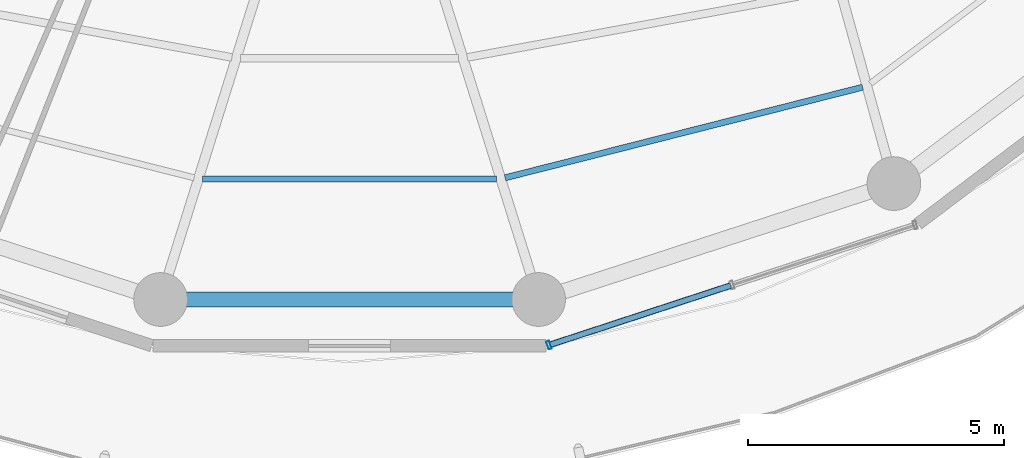
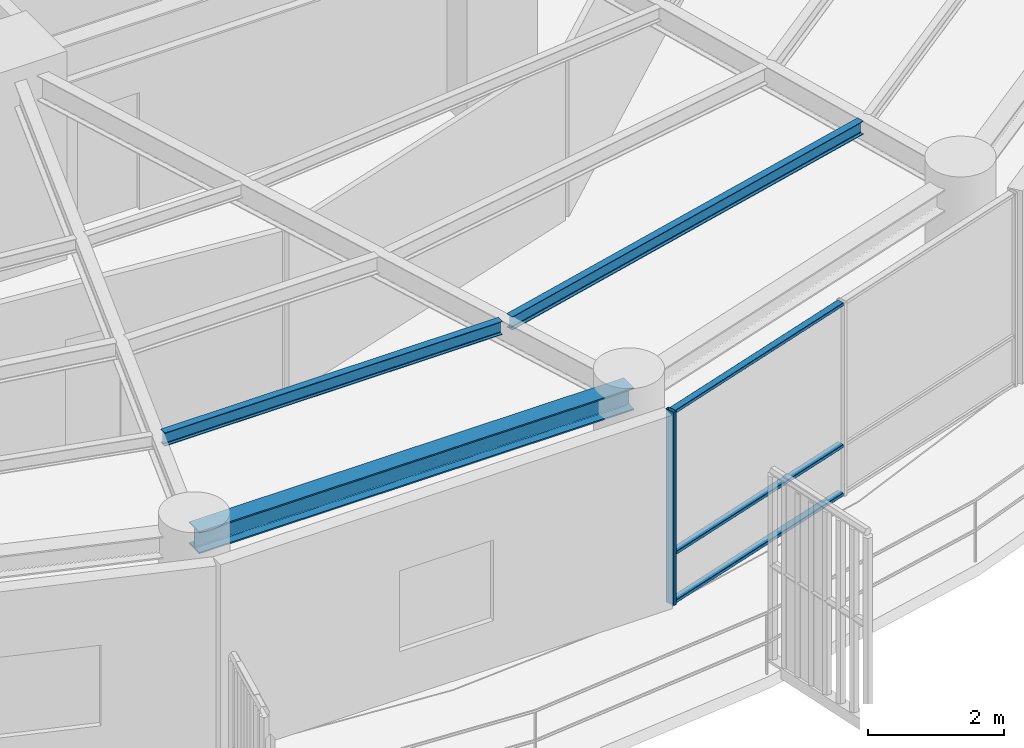
# One storey, part 4 of 31: 4 members, 3 beams, 1 element without a shape of its own.
"""IFC4 building model written with IfcOpenShell, lengths in metres."""

import ifcopenshell
import ifcopenshell.guid

model = None  # the IFC model being written
_history = None  # IfcOwnerHistory: only IFC2X3 demands one
_inside = {}  # id of a spatial element -> (the spatial element, [elements in it])
_under = {}  # id of a project, library or spatial element -> (it, [spatial elements below it])
_declared = {}  # id of a project -> (the project, [libraries it declares])
_typed = {}  # id of a type object -> (the type object, [elements of that type])
_made_of = {}  # id of a material, layer set ... -> (it, [elements and type objects made of it])


def new_model(schema):
    """Start an empty IFC model of exactly this schema.

    Asked for "IFC4X3", IfcOpenShell would pick the latest addendum, in which some entities
    have other attributes; the version numbers below select the first issue.
    IFC2X3 requires an IfcOwnerHistory on every rooted entity: one is made here for all.
    """
    global model, _history
    if schema == "IFC4X3":
        model = ifcopenshell.file(schema_version=(4, 3, 0, 0))
    else:
        model = ifcopenshell.file(schema=schema)
    _inside.clear()
    _under.clear()
    _declared.clear()
    _typed.clear()
    _made_of.clear()
    _history = None
    if model.schema == "IFC2X3":
        org = make("IfcOrganization", Name="unknown")
        user = make(
            "IfcPersonAndOrganization",
            ThePerson=make("IfcPerson", FamilyName="unknown"),
            TheOrganization=org,
        )
        app = make(
            "IfcApplication",
            ApplicationDeveloper=org,
            Version="unknown",
            ApplicationFullName="unknown",
            ApplicationIdentifier="unknown",
        )
        _history = make(
            "IfcOwnerHistory",
            OwningUser=user,
            OwningApplication=app,
            ChangeAction="ADDED",
            CreationDate=0,
        )
    return model


def make(cls, **values):
    """One entity of the class cls with the attributes given. An attribute that is None is left unset."""
    return model.create_entity(
        cls, **{name: value for name, value in values.items() if value is not None}
    )


def rooted(cls, **values):
    """An entity with a GlobalId (a new one), such as an element, a storey or a relation."""
    return make(cls, GlobalId=ifcopenshell.guid.new(), OwnerHistory=_history, **values)


def si_unit(unit_type, name, prefix=None):
    """IfcSIUnit, for example si_unit("LENGTHUNIT", "METRE", prefix="MILLI")."""
    return make("IfcSIUnit", UnitType=unit_type, Prefix=prefix, Name=name)


def assignment(units):
    """IfcUnitAssignment: the units of a project."""
    return None if units is None else make("IfcUnitAssignment", Units=units)


def point(xyz):
    """IfcCartesianPoint."""
    return None if xyz is None else make("IfcCartesianPoint", Coordinates=xyz)


def direction(xyz):
    """IfcDirection."""
    return None if xyz is None else make("IfcDirection", DirectionRatios=xyz)


def frame(location, z_axis=None, x_axis=None):
    """IfcAxis2Placement3D, a coordinate frame: its origin and axes. An axis left out is left unset."""
    return make(
        "IfcAxis2Placement3D",
        Location=point(location),
        Axis=direction(z_axis),
        RefDirection=direction(x_axis),
    )


def frame_2d(location, x_axis=None):
    """IfcAxis2Placement2D, a coordinate frame in the plane: its origin and x axis."""
    return make(
        "IfcAxis2Placement2D", Location=point(location), RefDirection=direction(x_axis)
    )


def origin():
    """The frame at (0, 0, 0) with its axes left unset."""
    return frame((0.0, 0.0, 0.0))


def origin_2d():
    """The frame at (0, 0) in the plane with its x axis left unset."""
    return frame_2d((0.0, 0.0))


def place(relative_to, where):
    """IfcLocalPlacement: puts the frame where relative to a parent placement (None: the world)."""
    return make(
        "IfcLocalPlacement", PlacementRelTo=relative_to, RelativePlacement=where
    )


def context(
    kind, dimensions, precision=None, world=None, true_north=None, identifier=None
):
    """IfcGeometricRepresentationContext, for example the 3D "Model" context."""
    return make(
        "IfcGeometricRepresentationContext",
        ContextIdentifier=identifier,
        ContextType=kind,
        CoordinateSpaceDimension=dimensions,
        Precision=precision,
        WorldCoordinateSystem=world,
        TrueNorth=true_north,
    )


def subcontext(parent, identifier, kind, view, scale=None):
    """IfcGeometricRepresentationSubContext, for example "Body" below "Model"."""
    return make(
        "IfcGeometricRepresentationSubContext",
        ContextIdentifier=identifier,
        ContextType=kind,
        ParentContext=parent,
        TargetScale=scale,
        TargetView=view,
    )


def project(units=None, contexts=None):
    """IfcProject with its units and contexts."""
    return rooted(
        "IfcProject",
        Name="project",
        RepresentationContexts=contexts,
        UnitsInContext=assignment(units),
    )


def spatial(cls, under=None, at=None, **own):
    """A site, building, storey or space (cls), placed at a placement, below another one or the project."""
    s = rooted(cls, ObjectPlacement=at, **own)
    if under is not None:
        _under.setdefault(under.id(), (under, []))[1].append(s)
    return s


def profile(cls, at=None, kind="AREA", **sizes):
    """A parametric profile (cls). Its sizes go by their IFC names, for example OverallWidth=200.0."""
    return make(cls, ProfileType=kind, Position=at, **sizes)


def hollow_rectangle(**sizes):
    """IfcRectangleHollowProfileDef."""
    return profile("IfcRectangleHollowProfileDef", **sizes)


def i_section(**sizes):
    """IfcIShapeProfileDef."""
    return profile("IfcIShapeProfileDef", **sizes)


def extrude(swept, where, along, depth):
    """IfcExtrudedAreaSolid: the profile swept, set in the frame where, extruded along a direction by depth."""
    return make(
        "IfcExtrudedAreaSolid",
        SweptArea=swept,
        Position=where,
        ExtrudedDirection=direction(along),
        Depth=depth,
    )


def shape(context_of_items, identifier, shape_type, items):
    """IfcShapeRepresentation: the items that make up one representation, for example the "Body"."""
    return make(
        "IfcShapeRepresentation",
        ContextOfItems=context_of_items,
        RepresentationIdentifier=identifier,
        RepresentationType=shape_type,
        Items=items,
    )


def material(Name=None, Category=None):
    """IfcMaterial."""
    return make("IfcMaterial", Name=Name, Category=Category)


def layer(
    of_material, thickness, ventilated=None, Name=None, Category=None, Priority=None
):
    """IfcMaterialLayer: one layer of a wall or slab, of a material (None: an air gap)."""
    return make(
        "IfcMaterialLayer",
        Material=of_material,
        LayerThickness=thickness,
        IsVentilated=ventilated,
        Name=Name,
        Category=Category,
        Priority=Priority,
    )


def layer_set(layers, Name=None):
    """IfcMaterialLayerSet."""
    return make("IfcMaterialLayerSet", MaterialLayers=layers, LayerSetName=Name)


def material_profile(
    of_material, cross_section, Name=None, Category=None, Priority=None
):
    """IfcMaterialProfile: a cross section and its material."""
    return make(
        "IfcMaterialProfile",
        Name=Name,
        Material=of_material,
        Profile=cross_section,
        Priority=Priority,
        Category=Category,
    )


def profile_set(profiles, Name=None, composite=None):
    """IfcMaterialProfileSet."""
    return make(
        "IfcMaterialProfileSet",
        Name=Name,
        MaterialProfiles=profiles,
        CompositeProfile=composite,
    )


def made_of(thing, what):
    """Note that an element or type object is made of a material, layer set ...; save() writes the relation."""
    if what is not None:
        _made_of.setdefault(what.id(), (what, []))[1].append(thing)
    return thing


def type_object(cls, material=None, **own):
    """A type object (cls), such as IfcWallType, which elements share."""
    return made_of(rooted(cls, **own), material)


def element(
    cls,
    number,
    at=None,
    inside=None,
    cuts=None,
    type_object=None,
    material=None,
    context=None,
    identifier="Body",
    shape_type=None,
    held_by="IfcProductDefinitionShape",
    body=None,
    shapes=None,
    **own,
):
    """One element of the class cls, such as IfcWall. Its Tag is "e" and its number.

    at: its placement. inside: the storey or other place that contains it. cuts: it is an
    opening in that element (IfcRelVoidsElement). A single representation is given by context,
    identifier, shape_type and body (its items); several are given by shapes. held_by: the class
    of the entity that holds the representations. save() writes the other relations.
    """
    e = rooted(cls, Tag="e%d" % number, ObjectPlacement=at, **own)
    if body is not None:
        shapes = [shape(context, identifier, shape_type, body)]
    if shapes is not None:
        e.Representation = make(held_by, Representations=shapes)
    if inside is not None:
        _inside.setdefault(inside.id(), (inside, []))[1].append(e)
    if cuts is not None:
        rooted(
            "IfcRelVoidsElement", RelatingBuildingElement=cuts, RelatedOpeningElement=e
        )
    if type_object is not None:
        _typed.setdefault(type_object.id(), (type_object, []))[1].append(e)
    return made_of(e, material)


def aggregate(whole, parts):
    """IfcRelAggregates: a whole, such as a stair, and the parts it consists of."""
    return rooted("IfcRelAggregates", RelatingObject=whole, RelatedObjects=parts)


def save(model, path):
    """Write the relations noted so far, then the file.

    IfcRelAggregates (storeys below a building ...), IfcRelContainedInSpatialStructure (elements
    in a storey), IfcRelDefinesByType, IfcRelAssociatesMaterial and IfcRelDeclares: one each for
    every whole, place, type object, material and project.
    """
    for whole, parts in _under.values():
        aggregate(whole, parts)
    for where, things in _inside.values():
        rooted(
            "IfcRelContainedInSpatialStructure",
            RelatedElements=things,
            RelatingStructure=where,
        )
    for kind, things in _typed.values():
        rooted("IfcRelDefinesByType", RelatedObjects=things, RelatingType=kind)
    for what, things in _made_of.values():
        rooted("IfcRelAssociatesMaterial", RelatedObjects=things, RelatingMaterial=what)
    for by, libraries in _declared.values():
        rooted("IfcRelDeclares", RelatingContext=by, RelatedDefinitions=libraries)
    model.write(path)


model = new_model("IFC4")

# Units and contexts
model_context = context("Model", 3, precision=1e-05, world=origin(), true_north=direction((0.0, 1.0)))
body_context = subcontext(model_context, "Body", "Model", "MODEL_VIEW")
ifc_project = project(units=[si_unit("LENGTHUNIT", "METRE"), si_unit("AREAUNIT", "SQUARE_METRE"), si_unit("VOLUMEUNIT", "CUBIC_METRE"), si_unit("PLANEANGLEUNIT", "RADIAN"), si_unit("MASSUNIT", "GRAM", prefix="KILO")], contexts=[model_context])

# Site, building, storey
site_placement = place(None, origin())
site = spatial("IfcSite", under=ifc_project, at=site_placement, CompositionType="ELEMENT")
building_placement = place(site_placement, origin())
building = spatial("IfcBuilding", under=site, at=building_placement, Name="Kelanora Arch Commons", CompositionType="ELEMENT")
storey_placement = place(building_placement, frame((0.0, 0.0, 193.199951171875)))
storey = spatial("IfcBuildingStorey", under=building, at=storey_placement, Name="L49", CompositionType="ELEMENT", Elevation=193.199951171875)

# Beams
ifc_material_1 = material(Name="Steel S355", Category="steel")
ifc_material_profile_1 = material_profile(ifc_material_1, i_section(OverallWidth=0.1201171875, OverallDepth=0.239990234375, WebThickness=0.006103515625, FlangeThickness=0.009765625, FilletRadius=0.014892578125, at=origin_2d()), Name="IPE240")
ifc_profile_set_1 = profile_set([ifc_material_profile_1], Name="Steel S355")
beam_type_1 = type_object("IfcBeamType", Name="BM-JST-02", PredefinedType="JOIST", material=ifc_profile_set_1)
beam_1_placement = place(storey_placement, frame((71.12890625, 41.56787109375, 3.3701171875), z_axis=(1.0, 0.0, 0.0), x_axis=(0.0, 1.0, 0.0)))
element("IfcBeam", 1, at=beam_1_placement, inside=storey, type_object=beam_type_1, Name="Secondary Chord Joist BJC-26 L49", PredefinedType="JOIST", context=body_context, shape_type="SweptSolid", body=[
    extrude(i_section(OverallWidth=0.1201171875, OverallDepth=0.239990234375, WebThickness=0.006103515625, FlangeThickness=0.009765625, FilletRadius=0.014892578125, at=origin_2d()), origin(), (0.0, 0.0, 1.0), 5.7421875),
])
beam_2_placement = place(storey_placement, frame((77.03857421875, 41.5888671875, 3.3701171875), z_axis=(0.969370989998, 0.245601066263, 0.0), x_axis=(-0.245601066263, 0.969370989998, 0.0)))
element("IfcBeam", 2, at=beam_2_placement, inside=storey, type_object=beam_type_1, Name="Secondary Chord Joist BJC-28 L49", PredefinedType="JOIST", context=body_context, shape_type="SweptSolid", body=[
    extrude(i_section(OverallWidth=0.1201171875, OverallDepth=0.239990234375, WebThickness=0.006103515625, FlangeThickness=0.009765625, FilletRadius=0.014892578125, at=origin_2d()), origin(), (0.0, 0.0, 1.0), 7.2119140625),
])
ifc_material_profile_2 = material_profile(ifc_material_1, i_section(OverallWidth=0.300048828125, OverallDepth=0.39990234375, WebThickness=0.013427734375, FlangeThickness=0.02392578125, FilletRadius=0.027099609375, at=origin_2d()), Name="HEB400")
ifc_profile_set_2 = profile_set([ifc_material_profile_2], Name="Steel S355")
beam_type_2 = type_object("IfcBeamType", Name="BM-SPN-Z4", PredefinedType="SPANDREL", material=ifc_profile_set_2)
beam_3_placement = place(storey_placement, frame((70.3046875, 39.2099609375, 3.2900390625), z_axis=(1.0, 0.0, 0.0), x_axis=(0.0, 1.0, 0.0)))
element("IfcBeam", 3, at=beam_3_placement, inside=storey, type_object=beam_type_2, Name="Perimeter Spandrel Beam BS-26 L49", PredefinedType="SPANDREL", context=body_context, shape_type="SweptSolid", body=[
    extrude(i_section(OverallWidth=0.300048828125, OverallDepth=0.39990234375, WebThickness=0.013427734375, FlangeThickness=0.02392578125, FilletRadius=0.027099609375, at=origin_2d()), origin(), (0.0, 0.0, 1.0), 7.390625),
])

# Curtain wall, members
ifc_material_2 = material(Name="Terracotta ceramic-fritted low-E glass and aluminium", Category="masonry")
ifc_layer = layer(ifc_material_2, 0.175048828125)
ifc_layer_set = layer_set([ifc_layer], Name="Terracotta ceramic-fritted low-E glass and aluminium")
curtain_wall_type = type_object("IfcCurtainWallType", Name="CW-SYS-02", PredefinedType="NOTDEFINED", material=ifc_layer_set)
curtain_wall_placement = place(storey_placement, origin())
curtain_wall = element("IfcCurtainWall", 4, at=curtain_wall_placement, inside=storey, type_object=curtain_wall_type, Name="Unitised Curtain Wall L49-B14", PredefinedType="NOTDEFINED")
ifc_material_3 = material(Name="Powder-coated aluminium terracotta", Category="masonry")
ifc_material_profile_3 = material_profile(ifc_material_3, hollow_rectangle(XDim=0.159912109375, YDim=0.06005859375, WallThickness=0.0048828125, InnerFilletRadius=0.0048828125, OuterFilletRadius=0.010009765625, at=origin_2d()), Name="CWM160x60")
ifc_profile_set_3 = profile_set([ifc_material_profile_3], Name="Powder-coated aluminium terracotta")
member_type_1 = type_object("IfcMemberType", Name="CWM-STD", PredefinedType="MULLION", material=ifc_profile_set_3)
member_1_placement = place(storey_placement, frame((77.897705078125, 38.31787109375, 0.0), z_axis=(0.0, 0.0, 1.0), x_axis=(-0.311582439059, 0.950219124029, 0.0)))
member_1 = element("IfcMember", 5, at=member_1_placement, type_object=member_type_1, Name="CW-02 mullion 1", PredefinedType="MULLION", context=body_context, shape_type="SweptSolid", body=[
    extrude(hollow_rectangle(XDim=0.159912109375, YDim=0.06005859375, WallThickness=0.0048828125, InnerFilletRadius=0.0048828125, OuterFilletRadius=0.010009765625, at=origin_2d()), origin(), (0.0, 0.0, 1.0), 3.47509765625),
])
ifc_material_profile_4 = material_profile(ifc_material_3, hollow_rectangle(XDim=0.1201171875, YDim=0.06005859375, WallThickness=0.0048828125, InnerFilletRadius=0.0048828125, OuterFilletRadius=0.010009765625, at=origin_2d()), Name="CWT120x60")
ifc_profile_set_4 = profile_set([ifc_material_profile_4], Name="Powder-coated aluminium terracotta")
member_type_2 = type_object("IfcMemberType", Name="CWT-STD", PredefinedType="USERDEFINED", material=ifc_profile_set_4)
member_2_placement = place(storey_placement, frame((77.92626953125, 38.3271484375, 0.030029296875), z_axis=(0.950206527055, 0.311620852867, 0.0), x_axis=(-0.311620852867, 0.950206527055, 0.0)))
member_2 = element("IfcMember", 6, at=member_2_placement, type_object=member_type_2, Name="CW-02 transom 1.1", ObjectType="TRANSOM", PredefinedType="USERDEFINED", context=body_context, shape_type="SweptSolid", body=[
    extrude(hollow_rectangle(XDim=0.1201171875, YDim=0.06005859375, WallThickness=0.0048828125, InnerFilletRadius=0.0048828125, OuterFilletRadius=0.010009765625, at=origin_2d()), origin(), (0.0, 0.0, 1.0), 3.707275390625),
])
member_3_placement = place(storey_placement, frame((77.92626953125, 38.3271484375, 0.900146484375), z_axis=(0.950206527055, 0.311620852867, 0.0), x_axis=(-0.311620852867, 0.950206527055, 0.0)))
member_3 = element("IfcMember", 7, at=member_3_placement, type_object=member_type_2, Name="CW-02 transom 1.2", ObjectType="TRANSOM", PredefinedType="USERDEFINED", context=body_context, shape_type="SweptSolid", body=[
    extrude(hollow_rectangle(XDim=0.1201171875, YDim=0.06005859375, WallThickness=0.0048828125, InnerFilletRadius=0.0048828125, OuterFilletRadius=0.010009765625, at=origin_2d()), origin(), (0.0, 0.0, 1.0), 3.707275390625),
])
member_4_placement = place(storey_placement, frame((77.92626953125, 38.3271484375, 3.445068359375), z_axis=(0.950206527055, 0.311620852867, 0.0), x_axis=(-0.311620852867, 0.950206527055, 0.0)))
member_4 = element("IfcMember", 8, at=member_4_placement, type_object=member_type_2, Name="CW-02 transom 1.3", ObjectType="TRANSOM", PredefinedType="USERDEFINED", context=body_context, shape_type="SweptSolid", body=[
    extrude(hollow_rectangle(XDim=0.1201171875, YDim=0.06005859375, WallThickness=0.0048828125, InnerFilletRadius=0.0048828125, OuterFilletRadius=0.010009765625, at=origin_2d()), origin(), (0.0, 0.0, 1.0), 3.707275390625),
])
aggregate(curtain_wall, [member_1, member_2, member_3, member_4])

save(model, "model.ifc")
